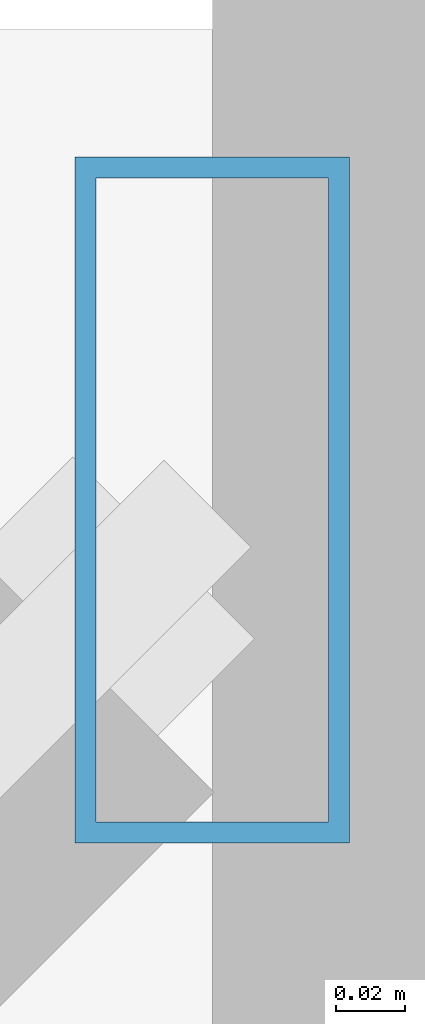
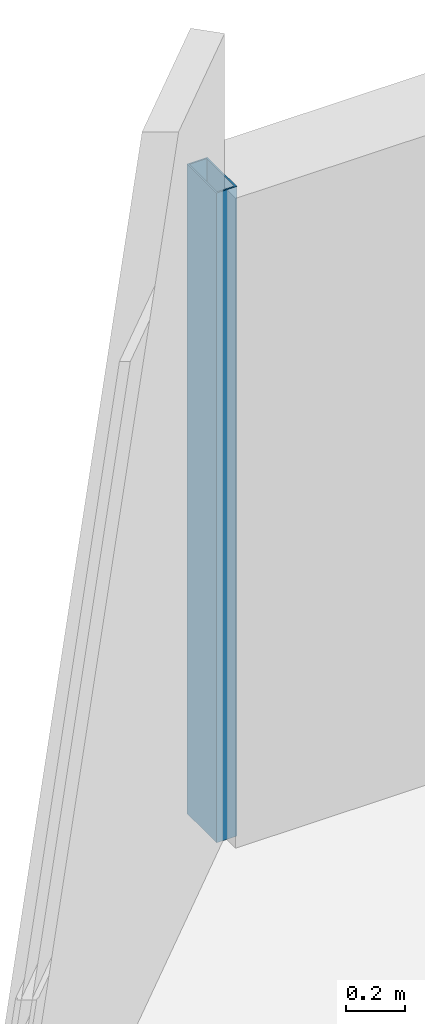
# One storey, part 16 of 33: 1 member, 1 element without a shape of its own.
"""IFC4 building model written with IfcOpenShell, lengths in metres."""

from ifc_helpers import new_model, si_unit, direction, frame, origin, origin_2d, place, context, subcontext, project, spatial, hollow_rectangle, extrude, material, material_profile, profile_set, type_object, element, aggregate, save


model = new_model("IFC4")

# Units and contexts
model_context = context("Model", 3, precision=1e-05, world=origin(), true_north=direction((0.0, 1.0)))
body_context = subcontext(model_context, "Body", "Model", "MODEL_VIEW")
ifc_project = project(units=[si_unit("LENGTHUNIT", "METRE"), si_unit("AREAUNIT", "SQUARE_METRE"), si_unit("VOLUMEUNIT", "CUBIC_METRE"), si_unit("PLANEANGLEUNIT", "RADIAN"), si_unit("MASSUNIT", "GRAM", prefix="KILO")], contexts=[model_context])

# Site, building, storey
site_placement = place(None, origin())
site = spatial("IfcSite", under=ifc_project, at=site_placement, CompositionType="ELEMENT")
building_placement = place(site_placement, origin())
building = spatial("IfcBuilding", under=site, at=building_placement, Name="Thornwick Lancets Civic Towers", CompositionType="ELEMENT")
storey_placement = place(building_placement, frame((0.0, 0.0, 163.5)))
storey = spatial("IfcBuildingStorey", under=building, at=storey_placement, Name="L43", CompositionType="ELEMENT", Elevation=163.5)

# Curtain wall, member
ifc_material_1 = material(Name="Mid-zone chamfered-corner unitised glass curtain wall", Category="glass")
curtain_wall_type = type_object("IfcCurtainWallType", Name="CW_SYS_04", PredefinedType="NOTDEFINED", material=ifc_material_1)
curtain_wall_placement = place(storey_placement, origin())
curtain_wall = element("IfcCurtainWall", 1, at=curtain_wall_placement, inside=storey, type_object=curtain_wall_type, Name="L43 Curtain Wall CW-L43-B-E5", PredefinedType="NOTDEFINED")
ifc_material_2 = material(Name="Thermally broken bronze aluminium S355", Category="steel")
ifc_material_profile = material_profile(ifc_material_2, hollow_rectangle(XDim=0.080078125, YDim=0.199951171875, WallThickness=0.006103515625, at=origin_2d()), Name="RHS 200x80x6")
ifc_profile_set = profile_set([ifc_material_profile], Name="Thermally broken bronze aluminium S355")
member_type = type_object("IfcMemberType", Name="CW_MUL_200", PredefinedType="MULLION", material=ifc_profile_set)
member_placement = place(storey_placement, frame((73.87060546875, 50.7626953125, 0.0), z_axis=(0.0, 0.0, 1.0), x_axis=(1.0, 0.0, 0.0)))
member = element("IfcMember", 2, at=member_placement, type_object=member_type, Name="CW-L43-B-E5 Mullion 0", PredefinedType="MULLION", context=body_context, shape_type="SweptSolid", body=[
    extrude(hollow_rectangle(XDim=0.080078125, YDim=0.199951171875, WallThickness=0.006103515625, at=origin_2d()), origin(), (0.0, 0.0, 1.0), 2.699951171875),
])
aggregate(curtain_wall, [member])

save(model, "model.ifc")
